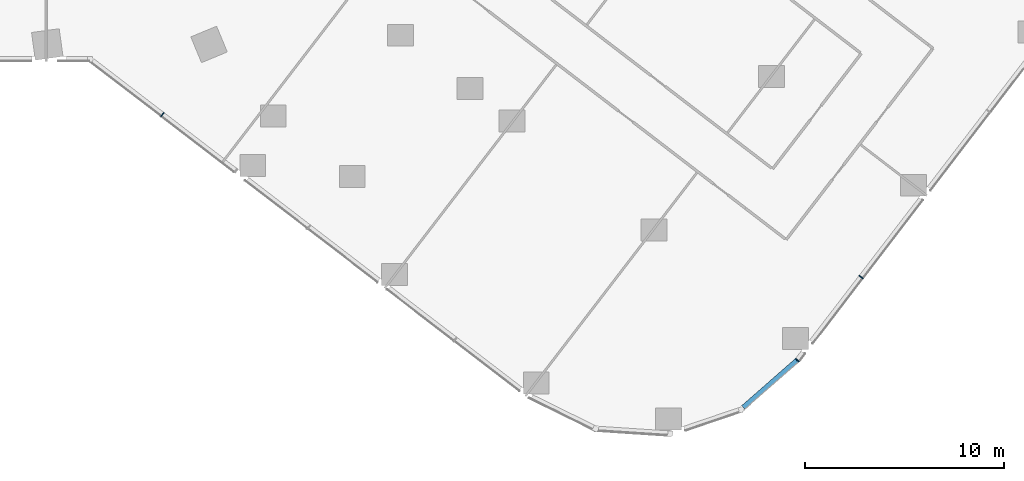
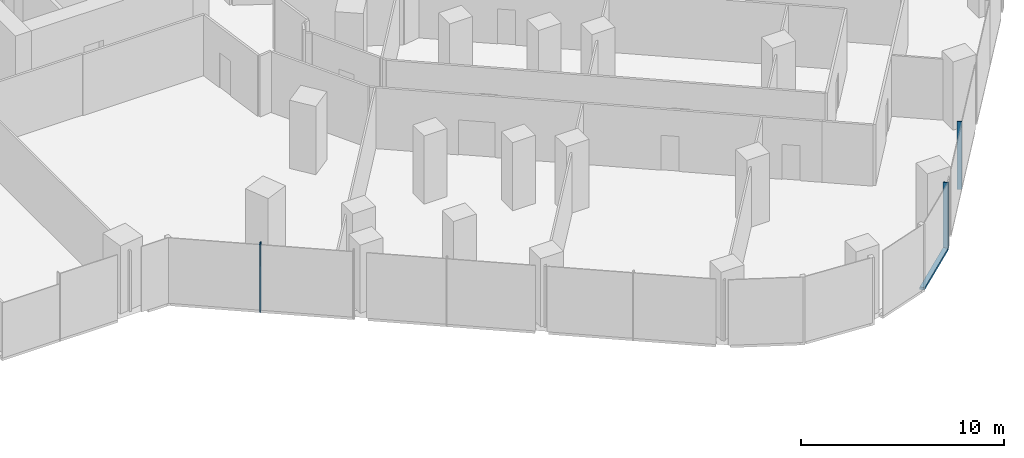
# One storey, part 7 of 29: 4 members, 3 elements without a shape of their own.
"""IFC4 building model written with IfcOpenShell, lengths in metres."""

import ifcopenshell
import ifcopenshell.guid

model = None  # the IFC model being written
_history = None  # IfcOwnerHistory: only IFC2X3 demands one
_inside = {}  # id of a spatial element -> (the spatial element, [elements in it])
_under = {}  # id of a project, library or spatial element -> (it, [spatial elements below it])
_declared = {}  # id of a project -> (the project, [libraries it declares])
_typed = {}  # id of a type object -> (the type object, [elements of that type])
_made_of = {}  # id of a material, layer set ... -> (it, [elements and type objects made of it])


def new_model(schema):
    """Start an empty IFC model of exactly this schema.

    Asked for "IFC4X3", IfcOpenShell would pick the latest addendum, in which some entities
    have other attributes; the version numbers below select the first issue.
    IFC2X3 requires an IfcOwnerHistory on every rooted entity: one is made here for all.
    """
    global model, _history
    if schema == "IFC4X3":
        model = ifcopenshell.file(schema_version=(4, 3, 0, 0))
    else:
        model = ifcopenshell.file(schema=schema)
    _inside.clear()
    _under.clear()
    _declared.clear()
    _typed.clear()
    _made_of.clear()
    _history = None
    if model.schema == "IFC2X3":
        org = make("IfcOrganization", Name="unknown")
        user = make(
            "IfcPersonAndOrganization",
            ThePerson=make("IfcPerson", FamilyName="unknown"),
            TheOrganization=org,
        )
        app = make(
            "IfcApplication",
            ApplicationDeveloper=org,
            Version="unknown",
            ApplicationFullName="unknown",
            ApplicationIdentifier="unknown",
        )
        _history = make(
            "IfcOwnerHistory",
            OwningUser=user,
            OwningApplication=app,
            ChangeAction="ADDED",
            CreationDate=0,
        )
    return model


def make(cls, **values):
    """One entity of the class cls with the attributes given. An attribute that is None is left unset."""
    return model.create_entity(
        cls, **{name: value for name, value in values.items() if value is not None}
    )


def rooted(cls, **values):
    """An entity with a GlobalId (a new one), such as an element, a storey or a relation."""
    return make(cls, GlobalId=ifcopenshell.guid.new(), OwnerHistory=_history, **values)


def si_unit(unit_type, name, prefix=None):
    """IfcSIUnit, for example si_unit("LENGTHUNIT", "METRE", prefix="MILLI")."""
    return make("IfcSIUnit", UnitType=unit_type, Prefix=prefix, Name=name)


def assignment(units):
    """IfcUnitAssignment: the units of a project."""
    return None if units is None else make("IfcUnitAssignment", Units=units)


def point(xyz):
    """IfcCartesianPoint."""
    return None if xyz is None else make("IfcCartesianPoint", Coordinates=xyz)


def direction(xyz):
    """IfcDirection."""
    return None if xyz is None else make("IfcDirection", DirectionRatios=xyz)


def frame(location, z_axis=None, x_axis=None):
    """IfcAxis2Placement3D, a coordinate frame: its origin and axes. An axis left out is left unset."""
    return make(
        "IfcAxis2Placement3D",
        Location=point(location),
        Axis=direction(z_axis),
        RefDirection=direction(x_axis),
    )


def frame_2d(location, x_axis=None):
    """IfcAxis2Placement2D, a coordinate frame in the plane: its origin and x axis."""
    return make(
        "IfcAxis2Placement2D", Location=point(location), RefDirection=direction(x_axis)
    )


def origin():
    """The frame at (0, 0, 0) with its axes left unset."""
    return frame((0.0, 0.0, 0.0))


def origin_2d():
    """The frame at (0, 0) in the plane with its x axis left unset."""
    return frame_2d((0.0, 0.0))


def place(relative_to, where):
    """IfcLocalPlacement: puts the frame where relative to a parent placement (None: the world)."""
    return make(
        "IfcLocalPlacement", PlacementRelTo=relative_to, RelativePlacement=where
    )


def context(
    kind, dimensions, precision=None, world=None, true_north=None, identifier=None
):
    """IfcGeometricRepresentationContext, for example the 3D "Model" context."""
    return make(
        "IfcGeometricRepresentationContext",
        ContextIdentifier=identifier,
        ContextType=kind,
        CoordinateSpaceDimension=dimensions,
        Precision=precision,
        WorldCoordinateSystem=world,
        TrueNorth=true_north,
    )


def subcontext(parent, identifier, kind, view, scale=None):
    """IfcGeometricRepresentationSubContext, for example "Body" below "Model"."""
    return make(
        "IfcGeometricRepresentationSubContext",
        ContextIdentifier=identifier,
        ContextType=kind,
        ParentContext=parent,
        TargetScale=scale,
        TargetView=view,
    )


def project(units=None, contexts=None):
    """IfcProject with its units and contexts."""
    return rooted(
        "IfcProject",
        Name="project",
        RepresentationContexts=contexts,
        UnitsInContext=assignment(units),
    )


def spatial(cls, under=None, at=None, **own):
    """A site, building, storey or space (cls), placed at a placement, below another one or the project."""
    s = rooted(cls, ObjectPlacement=at, **own)
    if under is not None:
        _under.setdefault(under.id(), (under, []))[1].append(s)
    return s


def profile(cls, at=None, kind="AREA", **sizes):
    """A parametric profile (cls). Its sizes go by their IFC names, for example OverallWidth=200.0."""
    return make(cls, ProfileType=kind, Position=at, **sizes)


def rectangle(**sizes):
    """IfcRectangleProfileDef."""
    return profile("IfcRectangleProfileDef", **sizes)


def extrude(swept, where, along, depth):
    """IfcExtrudedAreaSolid: the profile swept, set in the frame where, extruded along a direction by depth."""
    return make(
        "IfcExtrudedAreaSolid",
        SweptArea=swept,
        Position=where,
        ExtrudedDirection=direction(along),
        Depth=depth,
    )


def shape(context_of_items, identifier, shape_type, items):
    """IfcShapeRepresentation: the items that make up one representation, for example the "Body"."""
    return make(
        "IfcShapeRepresentation",
        ContextOfItems=context_of_items,
        RepresentationIdentifier=identifier,
        RepresentationType=shape_type,
        Items=items,
    )


def material(Name=None, Category=None):
    """IfcMaterial."""
    return make("IfcMaterial", Name=Name, Category=Category)


def material_profile(
    of_material, cross_section, Name=None, Category=None, Priority=None
):
    """IfcMaterialProfile: a cross section and its material."""
    return make(
        "IfcMaterialProfile",
        Name=Name,
        Material=of_material,
        Profile=cross_section,
        Priority=Priority,
        Category=Category,
    )


def profile_set(profiles, Name=None, composite=None):
    """IfcMaterialProfileSet."""
    return make(
        "IfcMaterialProfileSet",
        Name=Name,
        MaterialProfiles=profiles,
        CompositeProfile=composite,
    )


def made_of(thing, what):
    """Note that an element or type object is made of a material, layer set ...; save() writes the relation."""
    if what is not None:
        _made_of.setdefault(what.id(), (what, []))[1].append(thing)
    return thing


def type_object(cls, material=None, **own):
    """A type object (cls), such as IfcWallType, which elements share."""
    return made_of(rooted(cls, **own), material)


def element(
    cls,
    number,
    at=None,
    inside=None,
    cuts=None,
    type_object=None,
    material=None,
    context=None,
    identifier="Body",
    shape_type=None,
    held_by="IfcProductDefinitionShape",
    body=None,
    shapes=None,
    **own,
):
    """One element of the class cls, such as IfcWall. Its Tag is "e" and its number.

    at: its placement. inside: the storey or other place that contains it. cuts: it is an
    opening in that element (IfcRelVoidsElement). A single representation is given by context,
    identifier, shape_type and body (its items); several are given by shapes. held_by: the class
    of the entity that holds the representations. save() writes the other relations.
    """
    e = rooted(cls, Tag="e%d" % number, ObjectPlacement=at, **own)
    if body is not None:
        shapes = [shape(context, identifier, shape_type, body)]
    if shapes is not None:
        e.Representation = make(held_by, Representations=shapes)
    if inside is not None:
        _inside.setdefault(inside.id(), (inside, []))[1].append(e)
    if cuts is not None:
        rooted(
            "IfcRelVoidsElement", RelatingBuildingElement=cuts, RelatedOpeningElement=e
        )
    if type_object is not None:
        _typed.setdefault(type_object.id(), (type_object, []))[1].append(e)
    return made_of(e, material)


def aggregate(whole, parts):
    """IfcRelAggregates: a whole, such as a stair, and the parts it consists of."""
    return rooted("IfcRelAggregates", RelatingObject=whole, RelatedObjects=parts)


def save(model, path):
    """Write the relations noted so far, then the file.

    IfcRelAggregates (storeys below a building ...), IfcRelContainedInSpatialStructure (elements
    in a storey), IfcRelDefinesByType, IfcRelAssociatesMaterial and IfcRelDeclares: one each for
    every whole, place, type object, material and project.
    """
    for whole, parts in _under.values():
        aggregate(whole, parts)
    for where, things in _inside.values():
        rooted(
            "IfcRelContainedInSpatialStructure",
            RelatedElements=things,
            RelatingStructure=where,
        )
    for kind, things in _typed.values():
        rooted("IfcRelDefinesByType", RelatedObjects=things, RelatingType=kind)
    for what, things in _made_of.values():
        rooted("IfcRelAssociatesMaterial", RelatedObjects=things, RelatingMaterial=what)
    for by, libraries in _declared.values():
        rooted("IfcRelDeclares", RelatingContext=by, RelatedDefinitions=libraries)
    model.write(path)


model = new_model("IFC4")

# Units and contexts
model_context = context("Model", 3, precision=1e-05, world=origin(), true_north=direction((0.0, 1.0)))
body_context = subcontext(model_context, "Body", "Model", "MODEL_VIEW")
ifc_project = project(units=[si_unit("LENGTHUNIT", "METRE"), si_unit("AREAUNIT", "SQUARE_METRE"), si_unit("VOLUMEUNIT", "CUBIC_METRE"), si_unit("PLANEANGLEUNIT", "RADIAN"), si_unit("MASSUNIT", "GRAM", prefix="KILO")], contexts=[model_context])

# Site, building, storey
site_placement = place(None, origin())
site = spatial("IfcSite", under=ifc_project, at=site_placement, CompositionType="ELEMENT")
building_placement = place(site_placement, origin())
building = spatial("IfcBuilding", under=site, at=building_placement, Name="Orlundy Tower", CompositionType="ELEMENT")
storey_placement = place(building_placement, frame((0.0, 0.0, 29.199951171875)))
storey = spatial("IfcBuildingStorey", under=building, at=storey_placement, Name="L05", CompositionType="ELEMENT", Elevation=29.199951171875)

# Curtain wall, member
ifc_material_1 = material(Name="Aluminium bronze anodised", Category="aluminium")
curtain_wall_type = type_object("IfcCurtainWallType", Name="CW2 wall", PredefinedType="NOTDEFINED", material=ifc_material_1)
curtain_wall_1_placement = place(storey_placement, origin())
curtain_wall_1 = element("IfcCurtainWall", 1, at=curtain_wall_1_placement, inside=storey, type_object=curtain_wall_type, Name="CW2 run 00", PredefinedType="NOTDEFINED")
ifc_material_2 = material(Name="Aluminium bronze anodised", Category="aluminium")
ifc_material_profile_1 = material_profile(ifc_material_2, rectangle(XDim=0.25, YDim=0.050048828125, at=origin_2d()), Name="CW2 mullion 50x250")
ifc_profile_set_1 = profile_set([ifc_material_profile_1], Name="Aluminium bronze anodised")
member_type_1 = type_object("IfcMemberType", Name="CW2 mullion 50x250", PredefinedType="MULLION", material=ifc_profile_set_1)
member_1_placement = place(storey_placement, frame((9.8408203125, -32.918212890625, -0.39990234375), z_axis=(0.0, 0.0, 1.0), x_axis=(-0.60875715215, -0.793356622022, 0.0)))
member_1 = element("IfcMember", 2, at=member_1_placement, type_object=member_type_1, Name="CW2 mullion 6", PredefinedType="MULLION", context=body_context, shape_type="SweptSolid", body=[
    extrude(rectangle(XDim=0.25, YDim=0.050048828125, at=origin_2d()), origin(), (0.0, 0.0, 1.0), 4.079833984375),
])
aggregate(curtain_wall_1, [member_1])

curtain_wall_2_placement = place(storey_placement, origin())
curtain_wall_2 = element("IfcCurtainWall", 3, at=curtain_wall_2_placement, inside=storey, type_object=curtain_wall_type, Name="CW2 run 023", PredefinedType="NOTDEFINED")
member_2_placement = place(storey_placement, frame((44.901123046875, -41.071044921875, -0.39990234375), z_axis=(0.0, 0.0, 1.0), x_axis=(0.793345695949, -0.60877139118, 0.0)))
member_2 = element("IfcMember", 4, at=member_2_placement, type_object=member_type_1, Name="CW2 mullion 64", PredefinedType="MULLION", context=body_context, shape_type="SweptSolid", body=[
    extrude(rectangle(XDim=0.25, YDim=0.050048828125, at=origin_2d()), origin(), (0.0, 0.0, 1.0), 4.079833984375),
])
aggregate(curtain_wall_2, [member_2])

# Curtain wall, members
curtain_wall_3_placement = place(storey_placement, origin())
curtain_wall_3 = element("IfcCurtainWall", 5, at=curtain_wall_3_placement, inside=storey, type_object=curtain_wall_type, Name="CW2 run 024", PredefinedType="NOTDEFINED")
member_3_placement = place(storey_placement, frame((41.69775390625, -45.245849609375, -0.39990234375), z_axis=(0.0, 0.0, 1.0), x_axis=(0.729850532445, -0.683606758517, 0.0)))
member_3 = element("IfcMember", 6, at=member_3_placement, type_object=member_type_1, Name="CW2 mullion 65", PredefinedType="MULLION", context=body_context, shape_type="SweptSolid", body=[
    extrude(rectangle(XDim=0.25, YDim=0.050048828125, at=origin_2d()), origin(), (0.0, 0.0, 1.0), 4.079833984375),
])
ifc_material_3 = material(Name="Aluminium bronze anodised", Category="aluminium")
ifc_material_profile_2 = material_profile(ifc_material_3, rectangle(XDim=0.25, YDim=0.14990234375, at=origin_2d()), Name="CW2 transom 250x150")
ifc_profile_set_2 = profile_set([ifc_material_profile_2], Name="Aluminium bronze anodised")
member_type_2 = type_object("IfcMemberType", Name="CW2 transom 250x150", PredefinedType="USERDEFINED", material=ifc_profile_set_2)
member_4_placement = place(storey_placement, frame((41.6787109375, -45.262451171875, -0.324951171875), z_axis=(-0.751850352577, -0.659333790526, 0.0), x_axis=(0.659333790526, -0.751850352577, 0.0)))
member_4 = element("IfcMember", 7, at=member_4_placement, type_object=member_type_2, Name="CW2 transom", ObjectType="TRANSOM", PredefinedType="USERDEFINED", context=body_context, shape_type="SweptSolid", body=[
    extrude(rectangle(XDim=0.25, YDim=0.14990234375, at=origin_2d()), origin(), (0.0, 0.0, 1.0), 3.58349609375),
])
aggregate(curtain_wall_3, [member_3, member_4])

save(model, "model.ifc")
